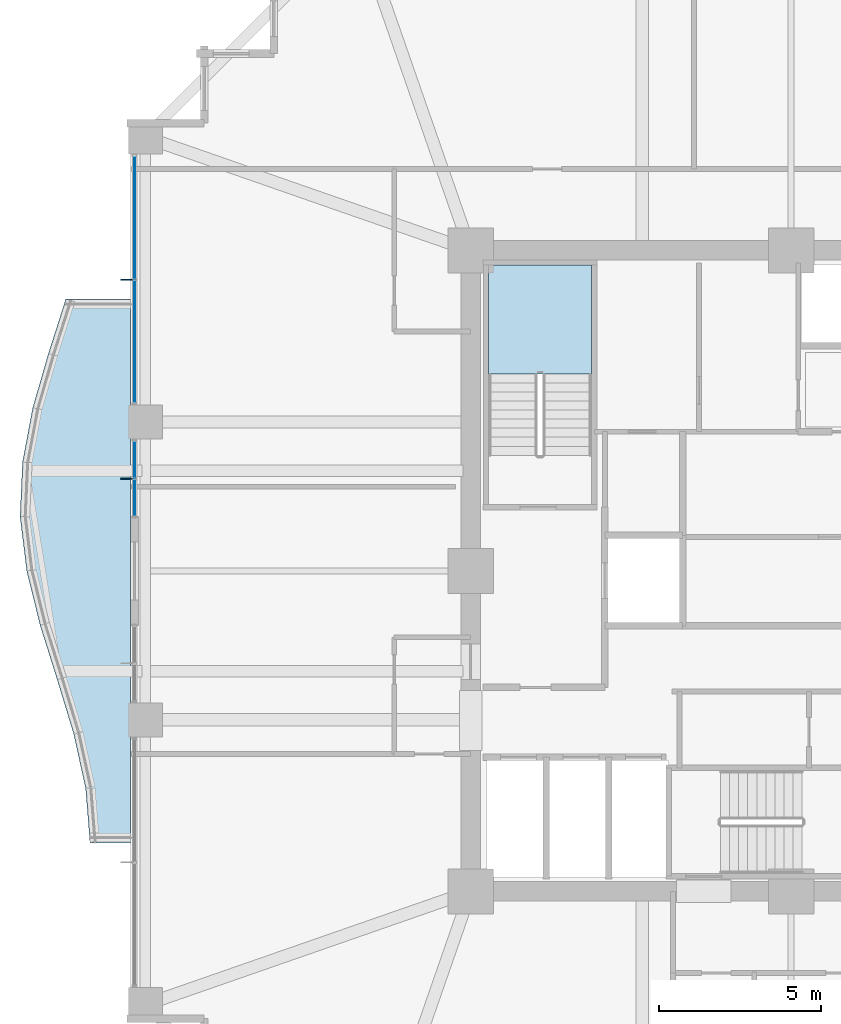
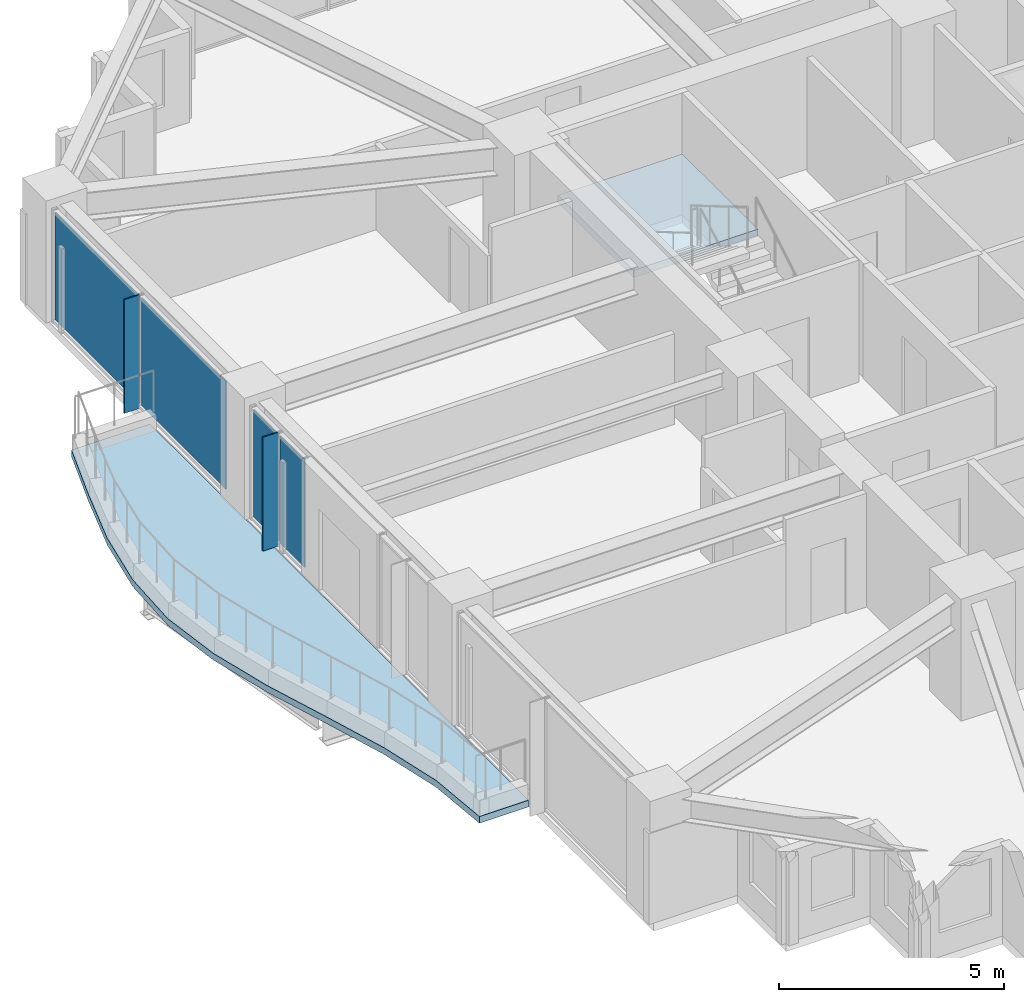
# One storey, part 26 of 36: 6 plates, 2 slabs, 3 elements without a shape of their own.
"""IFC4 building model written with IfcOpenShell, lengths in metres."""

from ifc_helpers import new_model, si_unit, direction, frame, origin, origin_2d, place, context, subcontext, project, spatial, polyline, rectangle, outline, extrude, material, layer, layer_set, type_object, element, aggregate, save


model = new_model("IFC4")

# Units and contexts
model_context = context("Model", 3, precision=1e-05, world=origin(), true_north=direction((0.0, 1.0)))
body_context = subcontext(model_context, "Body", "Model", "MODEL_VIEW")
ifc_project = project(units=[si_unit("LENGTHUNIT", "METRE"), si_unit("AREAUNIT", "SQUARE_METRE"), si_unit("VOLUMEUNIT", "CUBIC_METRE"), si_unit("PLANEANGLEUNIT", "RADIAN"), si_unit("MASSUNIT", "GRAM", prefix="KILO")], contexts=[model_context])

# Site, building, storey
site_placement = place(None, origin())
site = spatial("IfcSite", under=ifc_project, at=site_placement, CompositionType="ELEMENT")
building_placement = place(site_placement, origin())
building = spatial("IfcBuilding", under=site, at=building_placement, Name="Kolvaren Belvedere", CompositionType="ELEMENT")
storey_placement = place(building_placement, frame((0.0, 0.0, 95.300048828125)))
storey = spatial("IfcBuildingStorey", under=building, at=storey_placement, Name="L27", CompositionType="ELEMENT", Elevation=95.300048828125)

# Curtain wall, plates
ifc_material_1 = material(Name="Anodised pale-metal aluminium AA 6063-T6", Category="aluminium")
curtain_wall_type = type_object("IfcCurtainWallType", Name="CW-Z2-MID", PredefinedType="NOTDEFINED", material=ifc_material_1)
curtain_wall_1_placement = place(storey_placement, origin())
curtain_wall_1 = element("IfcCurtainWall", 1, at=curtain_wall_1_placement, inside=storey, type_object=curtain_wall_type, Name="L27 Unitised Curtain Wall FCW-L27-W2-B1", PredefinedType="NOTDEFINED")
ifc_material_2 = material(Name="Low-iron triple insulated glass", Category="glass")
ifc_layer_1 = layer(ifc_material_2, 0.028076171875)
ifc_layer_set_1 = layer_set([ifc_layer_1], Name="Low-iron triple insulated glass")
plate_type_1 = type_object("IfcPlateType", Name="CW-PNL-VIS28", PredefinedType="CURTAIN_PANEL", material=ifc_layer_set_1)
plate_1_placement = place(storey_placement, frame((-20.280029296875, 2.265625, 0.080078125), z_axis=(0.0, 0.0, 1.0), x_axis=(0.0, 1.0, 0.0)))
plate_1 = element("IfcPlate", 2, at=plate_1_placement, type_object=plate_type_1, Name="FCW-L27-W2-B1 Vision Glazing Panel 1", PredefinedType="CURTAIN_PANEL", context=body_context, shape_type="SweptSolid", body=[
    extrude(rectangle(XDim=1.09130859375, YDim=0.028076171875, at=origin_2d()), origin(), (0.0, 0.0, 1.0), 2.919921875),
])
plate_2_placement = place(storey_placement, frame((-20.280029296875, 3.43701171875, 0.080078125), z_axis=(0.0, 0.0, 1.0), x_axis=(0.0, 1.0, 0.0)))
plate_2 = element("IfcPlate", 3, at=plate_2_placement, type_object=plate_type_1, Name="FCW-L27-W2-B1 Vision Glazing Panel 2", PredefinedType="CURTAIN_PANEL", context=body_context, shape_type="SweptSolid", body=[
    extrude(rectangle(XDim=1.09130859375, YDim=0.028076171875, at=origin_2d()), origin(), (0.0, 0.0, 1.0), 2.919921875),
])
aggregate(curtain_wall_1, [plate_1, plate_2])

curtain_wall_2_placement = place(storey_placement, origin())
curtain_wall_2 = element("IfcCurtainWall", 4, at=curtain_wall_2_placement, inside=storey, type_object=curtain_wall_type, Name="L27 Unitised Curtain Wall FCW-L27-W2-B2", PredefinedType="NOTDEFINED")
plate_3_placement = place(storey_placement, frame((-20.280029296875, 7.0888671875, 0.080078125), z_axis=(0.0, 0.0, 1.0), x_axis=(0.0, 1.0, 0.0)))
plate_3 = element("IfcPlate", 5, at=plate_3_placement, type_object=plate_type_1, Name="FCW-L27-W2-B2 Vision Glazing Panel 1", PredefinedType="CURTAIN_PANEL", context=body_context, shape_type="SweptSolid", body=[
    extrude(rectangle(XDim=3.742431640625, YDim=0.028076171875, at=origin_2d()), origin(), (0.0, 0.0, 1.0), 2.919921875),
])
plate_4_placement = place(storey_placement, frame((-20.280029296875, 10.9111328125, 0.080078125), z_axis=(0.0, 0.0, 1.0), x_axis=(0.0, 1.0, 0.0)))
plate_4 = element("IfcPlate", 6, at=plate_4_placement, type_object=plate_type_1, Name="FCW-L27-W2-B2 Vision Glazing Panel 2", PredefinedType="CURTAIN_PANEL", context=body_context, shape_type="SweptSolid", body=[
    extrude(rectangle(XDim=3.742431640625, YDim=0.028076171875, at=origin_2d()), origin(), (0.0, 0.0, 1.0), 2.919921875),
])
aggregate(curtain_wall_2, [plate_3, plate_4])

# Plates
ifc_material_3 = material(Name="Anodised pale-metal aluminium AA 6063-T6", Category="aluminium")
ifc_layer_2 = layer(ifc_material_3, 0.033935546875)
ifc_layer_set_2 = layer_set([ifc_layer_2], Name="Anodised pale-metal aluminium AA 6063-T6")
plate_type_2 = type_object("IfcPlateType", Name="FIN-VERT-380", PredefinedType="USERDEFINED", material=ifc_layer_set_2)
for number, where, z_axis, x_axis, name in (
    (7, (-20.52490234375, 2.851318359375, 0.0), (0.0, 0.0, 1.0), (1.0, 0.0, 0.0), "L27 Pale-Metal Vertical Shading Fin FCW-L27-W2-B1-1"),
    (8, (-20.52490234375, 9.0, 0.0), (0.0, 0.0, 1.0), (1.0, 0.0, 0.0), "L27 Pale-Metal Vertical Shading Fin FCW-L27-W2-B2-1"),
):
    element("IfcPlate", number, at=place(storey_placement, frame(where, z_axis=z_axis, x_axis=x_axis)), inside=storey, type_object=plate_type_2, Name=name, ObjectType="VERTICAL FIN", PredefinedType="USERDEFINED", context=body_context, shape_type="SweptSolid", body=[
        extrude(rectangle(XDim=0.3798828125, YDim=0.033935546875, at=origin_2d()), origin(), (0.0, 0.0, 1.0), 3.080078125),
    ])

# Slab
ifc_material_4 = material(Name="Concrete C50/60", Category="concrete")
ifc_layer_3 = layer(ifc_material_4, 0.179931640625)
ifc_layer_set_3 = layer_set([ifc_layer_3], Name="Concrete C50/60")
slab_type_1 = type_object("IfcSlabType", Name="SL-BAL-180", PredefinedType="FLOOR", material=ifc_layer_set_3)
slab_1_placement = place(storey_placement, frame((0.0, 0.0, -0.219970703125)))
element("IfcSlab", 9, at=slab_1_placement, inside=storey, type_object=slab_type_1, Name="L27 Planted Balcony BAL-W", PredefinedType="FLOOR", context=body_context, shape_type="SweptSolid", body=[
    extrude(outline(polyline([(-22.40625, 8.39990234375), (-22.9423828125, 6.719970703125), (-23.428466796875, 5.0400390625), (-23.744140625, 3.360107421875), (-23.820068359375, 1.679931640625), (-23.61376953125, 0.0), (-23.19970703125, -1.679931640625), (-22.672119140625, -3.360107421875), (-22.161376953125, -5.0400390625), (-21.793701171875, -6.719970703125), (-21.659912109375, -8.39990234375), (-20.39990234375, -8.39990234375), (-20.39990234375, -6.719970703125), (-20.39990234375, -5.0400390625), (-20.39990234375, -3.360107421875), (-20.39990234375, -1.679931640625), (-20.39990234375, 0.0), (-20.39990234375, 1.679931640625), (-20.39990234375, 3.360107421875), (-20.39990234375, 5.0400390625), (-20.39990234375, 6.719970703125), (-20.39990234375, 8.39990234375), (-22.40625, 8.39990234375)])), origin(), (0.0, 0.0, 1.0), 0.179931640625),
])

# Stair, slab
ifc_material_5 = material(Name="Concrete C50/60", Category="concrete")
stair_type = type_object("IfcStairType", Name="ST-CORE-1520", PredefinedType="HALF_TURN_STAIR", material=ifc_material_5)
stair_placement = place(storey_placement, origin())
stair = element("IfcStair", 10, at=stair_placement, inside=storey, type_object=stair_type, Name="L27 Protected Exit Stair ST-1", PredefinedType="HALF_TURN_STAIR")
ifc_material_6 = material(Name="Concrete C50/60", Category="concrete")
ifc_layer_4 = layer(ifc_material_6, 0.260009765625)
ifc_layer_set_4 = layer_set([ifc_layer_4], Name="Concrete C50/60")
slab_type_2 = type_object("IfcSlabType", Name="SL-LAND-260", PredefinedType="LANDING", material=ifc_layer_set_4)
slab_2_placement = place(storey_placement, frame((0.0, 0.0, 1.449951171875)))
slab_2 = element("IfcSlab", 11, at=slab_2_placement, type_object=slab_type_2, Name="ST-1 landing 1", PredefinedType="LANDING", context=body_context, shape_type="SweptSolid", body=[
    extrude(outline(polyline([(-6.159912109375, 6.090087890625), (-6.159912109375, 9.449951171875), (-9.35009765625, 9.449951171875), (-9.35009765625, 6.090087890625), (-6.159912109375, 6.090087890625)])), origin(), (0.0, 0.0, 1.0), 0.199951171875),
])
aggregate(stair, [slab_2])

save(model, "model.ifc")
